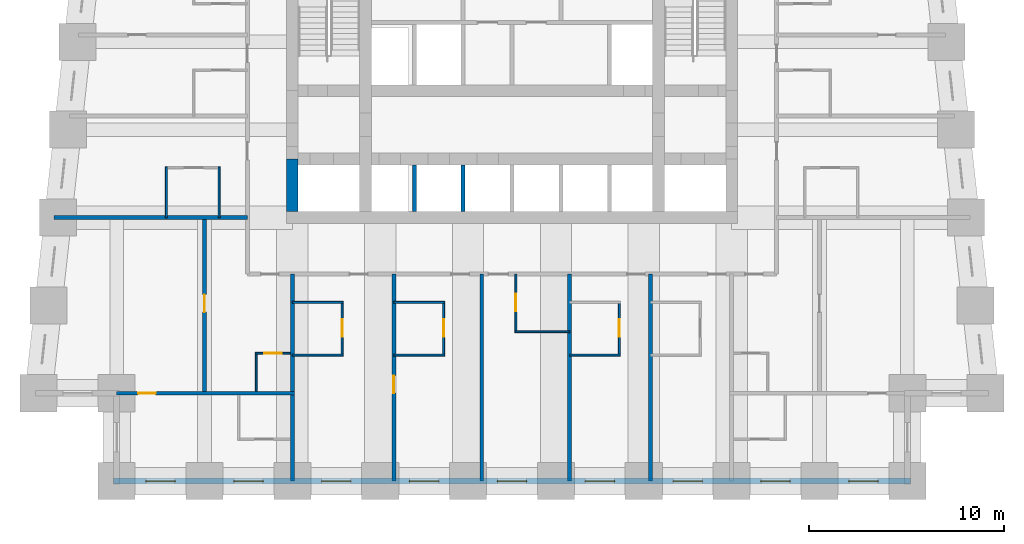
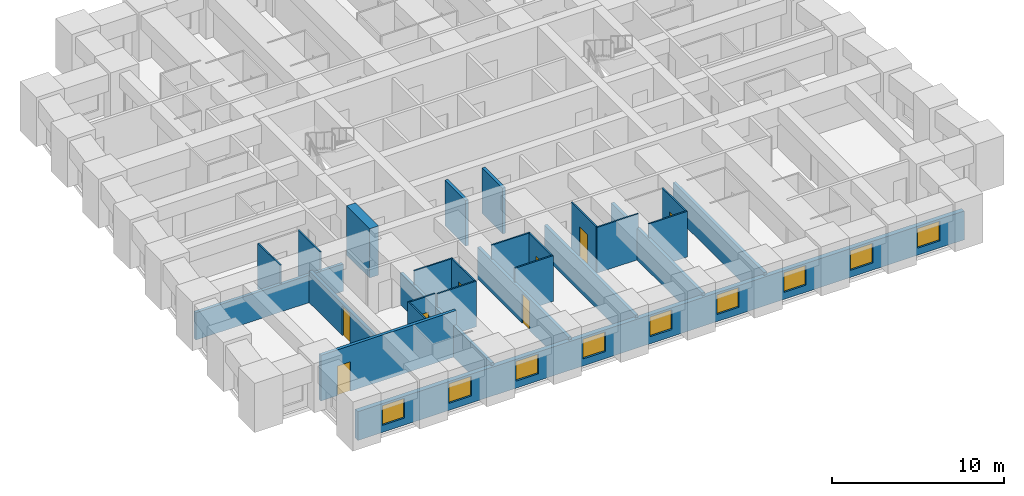
# One storey, part 2 of 8: 26 walls, 9 windows, 8 doors, 17 openings.
"""IFC4 building model written with IfcOpenShell, lengths in metres."""

from ifc_helpers import new_model, si_unit, direction, frame, frame_2d, origin, place, context, subcontext, project, spatial, rectangle, extrude, material, layer, layer_set, type_object, element, fill, save


model = new_model("IFC4")

# Units and contexts
model_context = context("Model", 3, precision=1e-05, world=origin(), true_north=direction((0.0, 1.0)))
body_context = subcontext(model_context, "Body", "Model", "MODEL_VIEW")
ifc_project = project(units=[si_unit("LENGTHUNIT", "METRE"), si_unit("AREAUNIT", "SQUARE_METRE"), si_unit("VOLUMEUNIT", "CUBIC_METRE"), si_unit("PLANEANGLEUNIT", "RADIAN"), si_unit("MASSUNIT", "GRAM", prefix="KILO")], contexts=[model_context])

# Site, building, storey
site_placement = place(None, origin())
site = spatial("IfcSite", under=ifc_project, at=site_placement, CompositionType="ELEMENT")
building_placement = place(site_placement, origin())
building = spatial("IfcBuilding", under=site, at=building_placement, Name="Kilele Tower Hotel", CompositionType="ELEMENT")
storey_placement = place(building_placement, frame((0.0, 0.0, 40.199951171875)))
storey = spatial("IfcBuildingStorey", under=building, at=storey_placement, Name="L08", CompositionType="ELEMENT", Elevation=40.199951171875)

# Walls
ifc_material_1 = material(Name="Moisture-resistant board")
ifc_layer_1 = layer(ifc_material_1, 0.10009765625)
ifc_layer_set_1 = layer_set([ifc_layer_1], Name="Moisture-resistant board")
wall_type_1 = type_object("IfcWallType", Name="Bathroom partition 100", PredefinedType="PLUMBINGWALL", material=ifc_layer_set_1)
for number, where, z_axis, x_axis, name in (
    (1, (13.5, 9.14990234375, 0.0), (0.0, 0.0, 1.0), (1.0, 0.0, 0.0), "Bathroom partition 100 L08"),
    (2, (13.5, 6.449951171875, 0.0), (0.0, 0.0, 1.0), (1.0, 0.0, 0.0), "Bathroom partition 100 L08"),
):
    element("IfcWall", number, at=place(storey_placement, frame(where, z_axis=z_axis, x_axis=x_axis)), inside=storey, type_object=wall_type_1, Name=name, PredefinedType="PLUMBINGWALL", context=body_context, shape_type="SweptSolid", body=[
        extrude(rectangle(XDim=2.60009765625, YDim=0.10009765625, at=frame_2d((1.300048828125, 0.0))), origin(), (0.0, 0.0, 1.0), 3.25),
    ])

# Wall, opening, door
wall_1_placement = place(storey_placement, frame((16.050048828125, 9.199951171875, 0.0), z_axis=(0.0, 0.0, 1.0), x_axis=(0.0, -1.0, 0.0)))
wall_1 = element("IfcWall", 3, at=wall_1_placement, inside=storey, type_object=wall_type_1, Name="Bathroom partition 100 L08", PredefinedType="PLUMBINGWALL", context=body_context, shape_type="SweptSolid", body=[
    extrude(rectangle(XDim=2.800048828125, YDim=0.10009765625, at=frame_2d((1.39990234375, 0.0))), origin(), (0.0, 0.0, 1.0), 3.25),
])
opening_1_placement = place(wall_1_placement, frame((0.89990234375, 0.0, 0.0)))
opening_1 = element("IfcOpeningElement", 4, at=opening_1_placement, cuts=wall_1, Name="Opening D2A", PredefinedType="OPENING", context=body_context, shape_type="SweptSolid", body=[
    extrude(rectangle(XDim=0.89990234375, YDim=2.10009765625, at=frame_2d((0.449951171875, 1.050048828125))), frame((0.0, 0.06005859375, 0.0), z_axis=(0.0, -1.0, 0.0), x_axis=(1.0, 0.0, 0.0)), (0.0, 0.0, 1.0), 0.1201171875),
])
ifc_material_2 = material(Name="Timber door leaf in hardwood frame", Category="wood")
door_type_1 = type_object("IfcDoorType", Name="Bathroom door 900", OperationType="SINGLE_SWING_LEFT", PredefinedType="DOOR", material=ifc_material_2)
door_1_placement = place(opening_1_placement, origin())
door_1 = element("IfcDoor", 5, at=door_1_placement, inside=storey, type_object=door_type_1, Name="Bathroom door 0801B", OperationType="SINGLE_SWING_LEFT", OverallHeight=2.10009765625, OverallWidth=0.89990234375, PredefinedType="DOOR", context=body_context, shape_type="SweptSolid", body=[
    extrude(rectangle(XDim=0.89990234375, YDim=2.10009765625, at=frame_2d((0.449951171875, 1.050048828125))), frame((0.0, 0.02490234375, 0.0), z_axis=(0.0, -1.0, 0.0), x_axis=(1.0, 0.0, 0.0)), (0.0, 0.0, 1.0), 0.050048828125),
])
fill(opening_1, door_1)

# Walls
for number, where, z_axis, x_axis, name in (
    (6, (18.699951171875, 9.14990234375, 0.0), (0.0, 0.0, 1.0), (1.0, 0.0, 0.0), "Bathroom partition 100 L08"),
    (7, (18.699951171875, 6.449951171875, 0.0), (0.0, 0.0, 1.0), (1.0, 0.0, 0.0), "Bathroom partition 100 L08"),
):
    element("IfcWall", number, at=place(storey_placement, frame(where, z_axis=z_axis, x_axis=x_axis)), inside=storey, type_object=wall_type_1, Name=name, PredefinedType="PLUMBINGWALL", context=body_context, shape_type="SweptSolid", body=[
        extrude(rectangle(XDim=2.60009765625, YDim=0.10009765625, at=frame_2d((1.300048828125, 0.0))), origin(), (0.0, 0.0, 1.0), 3.25),
    ])

# Wall, opening, door
wall_2_placement = place(storey_placement, frame((21.25, 9.199951171875, 0.0), z_axis=(0.0, 0.0, 1.0), x_axis=(0.0, -1.0, 0.0)))
wall_2 = element("IfcWall", 8, at=wall_2_placement, inside=storey, type_object=wall_type_1, Name="Bathroom partition 100 L08", PredefinedType="PLUMBINGWALL", context=body_context, shape_type="SweptSolid", body=[
    extrude(rectangle(XDim=2.800048828125, YDim=0.10009765625, at=frame_2d((1.39990234375, 0.0))), origin(), (0.0, 0.0, 1.0), 3.25),
])
opening_2_placement = place(wall_2_placement, frame((0.89990234375, 0.0, 0.0)))
opening_2 = element("IfcOpeningElement", 9, at=opening_2_placement, cuts=wall_2, Name="Opening D2A", PredefinedType="OPENING", context=body_context, shape_type="SweptSolid", body=[
    extrude(rectangle(XDim=0.89990234375, YDim=2.10009765625, at=frame_2d((0.449951171875, 1.050048828125))), frame((0.0, 0.06005859375, 0.0), z_axis=(0.0, -1.0, 0.0), x_axis=(1.0, 0.0, 0.0)), (0.0, 0.0, 1.0), 0.1201171875),
])
door_2_placement = place(opening_2_placement, origin())
door_2 = element("IfcDoor", 10, at=door_2_placement, inside=storey, type_object=door_type_1, Name="Bathroom door 0802B", OperationType="SINGLE_SWING_LEFT", OverallHeight=2.10009765625, OverallWidth=0.89990234375, PredefinedType="DOOR", context=body_context, shape_type="SweptSolid", body=[
    extrude(rectangle(XDim=0.89990234375, YDim=2.10009765625, at=frame_2d((0.449951171875, 1.050048828125))), frame((0.0, 0.02490234375, 0.0), z_axis=(0.0, -1.0, 0.0), x_axis=(1.0, 0.0, 0.0)), (0.0, 0.0, 1.0), 0.050048828125),
])
fill(opening_2, door_2)

# Wall
wall_3_placement = place(storey_placement, frame((24.89990234375, 7.64990234375, 0.0), z_axis=(0.0, 0.0, 1.0), x_axis=(1.0, 0.0, 0.0)))
element("IfcWall", 11, at=wall_3_placement, inside=storey, type_object=wall_type_1, Name="Bathroom partition 100 L08", PredefinedType="PLUMBINGWALL", context=body_context, shape_type="SweptSolid", body=[
    extrude(rectangle(XDim=2.800048828125, YDim=0.10009765625, at=frame_2d((1.39990234375, 0.0))), origin(), (0.0, 0.0, 1.0), 3.25),
])

# Wall, opening, door
wall_4_placement = place(storey_placement, frame((24.949951171875, 10.60009765625, 0.0), z_axis=(0.0, 0.0, 1.0), x_axis=(0.0, -1.0, 0.0)))
wall_4 = element("IfcWall", 12, at=wall_4_placement, inside=storey, type_object=wall_type_1, Name="Bathroom partition 100 L08", PredefinedType="PLUMBINGWALL", context=body_context, shape_type="SweptSolid", body=[
    extrude(rectangle(XDim=3.0, YDim=0.10009765625, at=frame_2d((1.5, 0.0))), origin(), (0.0, 0.0, 1.0), 3.25),
])
opening_3_placement = place(wall_4_placement, frame((1.89990234375, 0.0, 0.0), z_axis=(0.0, 0.0, 1.0), x_axis=(-1.0, 0.0, 0.0)))
opening_3 = element("IfcOpeningElement", 13, at=opening_3_placement, cuts=wall_4, Name="Opening D2A", PredefinedType="OPENING", context=body_context, shape_type="SweptSolid", body=[
    extrude(rectangle(XDim=0.89990234375, YDim=2.10009765625, at=frame_2d((0.449951171875, 1.050048828125))), frame((0.0, 0.06005859375, 0.0), z_axis=(0.0, -1.0, 0.0), x_axis=(1.0, 0.0, 0.0)), (0.0, 0.0, 1.0), 0.1201171875),
])
door_3_placement = place(opening_3_placement, origin())
door_3 = element("IfcDoor", 14, at=door_3_placement, inside=storey, type_object=door_type_1, Name="Bathroom door 0803B", OperationType="SINGLE_SWING_RIGHT", OverallHeight=2.10009765625, OverallWidth=0.89990234375, PredefinedType="DOOR", context=body_context, shape_type="SweptSolid", body=[
    extrude(rectangle(XDim=0.89990234375, YDim=2.10009765625, at=frame_2d((0.449951171875, 1.050048828125))), frame((0.0, 0.02490234375, 0.0), z_axis=(0.0, -1.0, 0.0), x_axis=(1.0, 0.0, 0.0)), (0.0, 0.0, 1.0), 0.050048828125),
])
fill(opening_3, door_3)

# Wall
wall_5_placement = place(storey_placement, frame((27.699951171875, 6.449951171875, 0.0), z_axis=(0.0, 0.0, 1.0), x_axis=(1.0, 0.0, 0.0)))
element("IfcWall", 15, at=wall_5_placement, inside=storey, type_object=wall_type_1, Name="Bathroom partition 100 L08", PredefinedType="PLUMBINGWALL", context=body_context, shape_type="SweptSolid", body=[
    extrude(rectangle(XDim=2.60009765625, YDim=0.10009765625, at=frame_2d((1.300048828125, 0.0))), origin(), (0.0, 0.0, 1.0), 3.25),
])

# Wall, opening, door
wall_6_placement = place(storey_placement, frame((30.25, 9.199951171875, 0.0), z_axis=(0.0, 0.0, 1.0), x_axis=(0.0, -1.0, 0.0)))
wall_6 = element("IfcWall", 16, at=wall_6_placement, inside=storey, type_object=wall_type_1, Name="Bathroom partition 100 L08", PredefinedType="PLUMBINGWALL", context=body_context, shape_type="SweptSolid", body=[
    extrude(rectangle(XDim=2.800048828125, YDim=0.10009765625, at=frame_2d((1.39990234375, 0.0))), origin(), (0.0, 0.0, 1.0), 3.25),
])
opening_4_placement = place(wall_6_placement, frame((0.89990234375, 0.0, 0.0)))
opening_4 = element("IfcOpeningElement", 17, at=opening_4_placement, cuts=wall_6, Name="Opening D2A", PredefinedType="OPENING", context=body_context, shape_type="SweptSolid", body=[
    extrude(rectangle(XDim=0.89990234375, YDim=2.10009765625, at=frame_2d((0.449951171875, 1.050048828125))), frame((0.0, 0.06005859375, 0.0), z_axis=(0.0, -1.0, 0.0), x_axis=(1.0, 0.0, 0.0)), (0.0, 0.0, 1.0), 0.1201171875),
])
door_4_placement = place(opening_4_placement, origin())
door_4 = element("IfcDoor", 18, at=door_4_placement, inside=storey, type_object=door_type_1, Name="Bathroom door 0804B", OperationType="SINGLE_SWING_LEFT", OverallHeight=2.10009765625, OverallWidth=0.89990234375, PredefinedType="DOOR", context=body_context, shape_type="SweptSolid", body=[
    extrude(rectangle(XDim=0.89990234375, YDim=2.10009765625, at=frame_2d((0.449951171875, 1.050048828125))), frame((0.0, 0.02490234375, 0.0), z_axis=(0.0, -1.0, 0.0), x_axis=(1.0, 0.0, 0.0)), (0.0, 0.0, 1.0), 0.050048828125),
])
fill(opening_4, door_4)

# Walls
for number, where, z_axis, x_axis, name in (
    (19, (9.75, 13.5, 0.0), (0.0, 0.0, 1.0), (0.0, 1.0, 0.0), "Bathroom partition 100 L08"),
    (20, (7.050048828125, 13.5, 0.0), (0.0, 0.0, 1.0), (0.0, 1.0, 0.0), "Bathroom partition 100 L08"),
):
    element("IfcWall", number, at=place(storey_placement, frame(where, z_axis=z_axis, x_axis=x_axis)), inside=storey, type_object=wall_type_1, Name=name, PredefinedType="PLUMBINGWALL", context=body_context, shape_type="SweptSolid", body=[
        extrude(rectangle(XDim=2.60009765625, YDim=0.10009765625, at=frame_2d((1.300048828125, 0.0))), origin(), (0.0, 0.0, 1.0), 3.25),
    ])
wall_7_placement = place(storey_placement, frame((11.64990234375, 4.60009765625, 0.0), z_axis=(0.0, 0.0, 1.0), x_axis=(0.0, 1.0, 0.0)))
element("IfcWall", 21, at=wall_7_placement, inside=storey, type_object=wall_type_1, Name="Bathroom partition 100 L08", PredefinedType="PLUMBINGWALL", context=body_context, shape_type="SweptSolid", body=[
    extrude(rectangle(XDim=2.0, YDim=0.10009765625, at=frame_2d((1.0, 0.0))), origin(), (0.0, 0.0, 1.0), 3.25),
])

# Wall, opening, door
wall_8_placement = place(storey_placement, frame((13.39990234375, 6.550048828125, 0.0), z_axis=(0.0, 0.0, 1.0), x_axis=(-1.0, 0.0, 0.0)))
wall_8 = element("IfcWall", 22, at=wall_8_placement, inside=storey, type_object=wall_type_1, Name="Bathroom partition 100 L08", PredefinedType="PLUMBINGWALL", context=body_context, shape_type="SweptSolid", body=[
    extrude(rectangle(XDim=1.7998046875, YDim=0.10009765625, at=frame_2d((0.89990234375, 0.0))), origin(), (0.0, 0.0, 1.0), 3.25),
])
opening_5_placement = place(wall_8_placement, frame((1.349853515625, 0.0, 0.0), z_axis=(0.0, 0.0, 1.0), x_axis=(-1.0, 0.0, 0.0)))
opening_5 = element("IfcOpeningElement", 23, at=opening_5_placement, cuts=wall_8, Name="Opening D2A", PredefinedType="OPENING", context=body_context, shape_type="SweptSolid", body=[
    extrude(rectangle(XDim=0.89990234375, YDim=2.10009765625, at=frame_2d((0.449951171875, 1.050048828125))), frame((0.0, 0.06005859375, 0.0), z_axis=(0.0, -1.0, 0.0), x_axis=(1.0, 0.0, 0.0)), (0.0, 0.0, 1.0), 0.1201171875),
])
door_5_placement = place(opening_5_placement, origin())
door_5 = element("IfcDoor", 24, at=door_5_placement, inside=storey, type_object=door_type_1, Name="Bathroom door 0817P", OperationType="SINGLE_SWING_RIGHT", OverallHeight=2.10009765625, OverallWidth=0.89990234375, PredefinedType="DOOR", context=body_context, shape_type="SweptSolid", body=[
    extrude(rectangle(XDim=0.89990234375, YDim=2.10009765625, at=frame_2d((0.449951171875, 1.050048828125))), frame((0.0, 0.02490234375, 0.0), z_axis=(0.0, -1.0, 0.0), x_axis=(1.0, 0.0, 0.0)), (0.0, 0.0, 1.0), 0.050048828125),
])
fill(opening_5, door_5)

# Wall
ifc_material_3 = material(Name="Concrete C60/75", Category="concrete")
ifc_layer_2 = layer(ifc_material_3, 0.60009765625)
ifc_layer_set_2 = layer_set([ifc_layer_2], Name="Concrete C60/75")
wall_type_2 = type_object("IfcWallType", Name="Core wall 600 C60/75", PredefinedType="SHEAR", material=ifc_layer_set_2)
wall_9_placement = place(storey_placement, frame((13.5, 16.5, 0.0), z_axis=(0.0, 0.0, 1.0), x_axis=(0.0, -1.0, 0.0)))
element("IfcWall", 25, at=wall_9_placement, inside=storey, type_object=wall_type_2, Name="Core wall W3 L08", PredefinedType="SHEAR", context=body_context, shape_type="SweptSolid", body=[
    extrude(rectangle(XDim=2.699951171875, YDim=0.60009765625, at=frame_2d((1.35009765625, 0.0))), origin(), (0.0, 0.0, 1.0), 3.5),
])

# Wall, opening, door
ifc_material_4 = material(Name="Blockwork, plastered both sides", Category="masonry")
ifc_layer_3 = layer(ifc_material_4, 0.199951171875)
ifc_layer_set_3 = layer_set([ifc_layer_3], Name="Blockwork, plastered both sides")
wall_type_3 = type_object("IfcWallType", Name="Partition wall 200", PredefinedType="PARTITIONING", material=ifc_layer_set_3)
wall_10_placement = place(storey_placement, frame((9.0, 4.60009765625, 0.0), z_axis=(0.0, 0.0, 1.0), x_axis=(0.0, 1.0, 0.0)))
wall_10 = element("IfcWall", 26, at=wall_10_placement, inside=storey, type_object=wall_type_3, Name="Partition wall 200 L08", PredefinedType="PARTITIONING", context=body_context, shape_type="SweptSolid", body=[
    extrude(rectangle(XDim=8.7998046875, YDim=0.199951171875, at=frame_2d((4.39990234375, 0.0))), origin(), (0.0, 0.0, 1.0), 2.25),
])
opening_6_placement = place(wall_10_placement, frame((4.050048828125, 0.0, 0.0)))
opening_6 = element("IfcOpeningElement", 27, at=opening_6_placement, cuts=wall_10, Name="Opening D3", PredefinedType="OPENING", context=body_context, shape_type="SweptSolid", body=[
    extrude(rectangle(XDim=0.89990234375, YDim=2.10009765625, at=frame_2d((0.449951171875, 1.050048828125))), frame((0.0, 0.10986328125, 0.0), z_axis=(0.0, -1.0, 0.0), x_axis=(1.0, 0.0, 0.0)), (0.0, 0.0, 1.0), 0.219970703125),
])
ifc_material_5 = material(Name="Timber door leaf in hardwood frame", Category="wood")
door_type_2 = type_object("IfcDoorType", Name="Suite internal door 900", OperationType="SINGLE_SWING_LEFT", PredefinedType="DOOR", material=ifc_material_5)
door_6_placement = place(opening_6_placement, origin())
door_6 = element("IfcDoor", 28, at=door_6_placement, inside=storey, type_object=door_type_2, Name="Suite door 0818", OperationType="SINGLE_SWING_RIGHT", OverallHeight=2.10009765625, OverallWidth=0.89990234375, PredefinedType="DOOR", context=body_context, shape_type="SweptSolid", body=[
    extrude(rectangle(XDim=0.89990234375, YDim=2.10009765625, at=frame_2d((0.449951171875, 1.050048828125))), frame((0.0, 0.02490234375, 0.0), z_axis=(0.0, -1.0, 0.0), x_axis=(1.0, 0.0, 0.0)), (0.0, 0.0, 1.0), 0.050048828125),
])
fill(opening_6, door_6)

ifc_material_6 = material(Name="Blockwork, plastered both sides", Category="masonry")
ifc_layer_4 = layer(ifc_material_6, 0.199951171875)
ifc_layer_set_4 = layer_set([ifc_layer_4], Name="Blockwork, plastered both sides")
wall_type_4 = type_object("IfcWallType", Name="Party wall 200", PredefinedType="PARTITIONING", material=ifc_layer_set_4)
wall_11_placement = place(storey_placement, frame((18.699951171875, 10.60009765625, 0.0), z_axis=(0.0, 0.0, 1.0), x_axis=(0.0, -1.0, 0.0)))
wall_11 = element("IfcWall", 29, at=wall_11_placement, inside=storey, type_object=wall_type_4, Name="Party wall 200 L08", PredefinedType="PARTITIONING", context=body_context, shape_type="SweptSolid", body=[
    extrude(rectangle(XDim=10.60009765625, YDim=0.199951171875, at=frame_2d((5.300048828125, 0.0))), origin(), (0.0, 0.0, 1.0), 2.25),
])
opening_7_placement = place(wall_11_placement, frame((5.199951171875, 0.0, 0.0)))
opening_7 = element("IfcOpeningElement", 30, at=opening_7_placement, cuts=wall_11, Name="Opening D3C", PredefinedType="OPENING", context=body_context, shape_type="SweptSolid", body=[
    extrude(rectangle(XDim=0.89990234375, YDim=2.10009765625, at=frame_2d((0.449951171875, 1.050048828125))), frame((0.0, 0.10986328125, 0.0), z_axis=(0.0, -1.0, 0.0), x_axis=(1.0, 0.0, 0.0)), (0.0, 0.0, 1.0), 0.219970703125),
])
ifc_material_7 = material(Name="Timber door leaf in hardwood frame", Category="wood")
door_type_3 = type_object("IfcDoorType", Name="Connecting door 900", OperationType="SINGLE_SWING_LEFT", PredefinedType="DOOR", material=ifc_material_7)
door_7_placement = place(opening_7_placement, origin())
door_7 = element("IfcDoor", 31, at=door_7_placement, inside=storey, type_object=door_type_3, Name="Connecting door 0802", OperationType="SINGLE_SWING_LEFT", OverallHeight=2.10009765625, OverallWidth=0.89990234375, PredefinedType="DOOR", context=body_context, shape_type="SweptSolid", body=[
    extrude(rectangle(XDim=0.89990234375, YDim=2.10009765625, at=frame_2d((0.449951171875, 1.050048828125))), frame((0.0, 0.02490234375, 0.0), z_axis=(0.0, -1.0, 0.0), x_axis=(1.0, 0.0, 0.0)), (0.0, 0.0, 1.0), 0.050048828125),
])
fill(opening_7, door_7)

# Walls
for number, where, z_axis, x_axis, name in (
    (32, (23.199951171875, 10.60009765625, 0.0), (0.0, 0.0, 1.0), (0.0, -1.0, 0.0), "Party wall 200 L08"),
    (33, (27.699951171875, 10.60009765625, 0.0), (0.0, 0.0, 1.0), (0.0, -1.0, 0.0), "Party wall 200 L08"),
    (34, (31.85009765625, 10.60009765625, 0.0), (0.0, 0.0, 1.0), (0.0, -1.0, 0.0), "Party wall 200 L08"),
):
    element("IfcWall", number, at=place(storey_placement, frame(where, z_axis=z_axis, x_axis=x_axis)), inside=storey, type_object=wall_type_4, Name=name, PredefinedType="PARTITIONING", context=body_context, shape_type="SweptSolid", body=[
        extrude(rectangle(XDim=10.60009765625, YDim=0.199951171875, at=frame_2d((5.300048828125, 0.0))), origin(), (0.0, 0.0, 1.0), 2.25),
    ])
wall_12_placement = place(storey_placement, frame((11.199951171875, 13.5, 0.0), z_axis=(0.0, 0.0, 1.0), x_axis=(-1.0, 0.0, 0.0)))
element("IfcWall", 35, at=wall_12_placement, inside=storey, type_object=wall_type_4, Name="Party wall 200 L08", PredefinedType="PARTITIONING", context=body_context, shape_type="SweptSolid", body=[
    extrude(rectangle(XDim=9.921142578125, YDim=0.199951171875, at=frame_2d((4.96044921875, 0.0))), origin(), (0.0, 0.0, 1.0), 1.949951171875),
])
wall_13_placement = place(storey_placement, frame((13.5, 10.60009765625, 0.0), z_axis=(0.0, 0.0, 1.0), x_axis=(0.0, -1.0, 0.0)))
element("IfcWall", 36, at=wall_13_placement, inside=storey, type_object=wall_type_4, Name="Party wall 200 L08", PredefinedType="PARTITIONING", context=body_context, shape_type="SweptSolid", body=[
    extrude(rectangle(XDim=10.60009765625, YDim=0.199951171875, at=frame_2d((5.300048828125, 0.0))), origin(), (0.0, 0.0, 1.0), 2.25),
])

# Wall, opening, door
wall_14_placement = place(storey_placement, frame((13.60009765625, 4.5, 0.0), z_axis=(0.0, 0.0, 1.0), x_axis=(-1.0, 0.0, 0.0)))
wall_14 = element("IfcWall", 37, at=wall_14_placement, inside=storey, type_object=wall_type_4, Name="Party wall 200 L08", PredefinedType="PARTITIONING", context=body_context, shape_type="SweptSolid", body=[
    extrude(rectangle(XDim=9.10009765625, YDim=0.199951171875, at=frame_2d((4.550048828125, 0.0))), origin(), (0.0, 0.0, 1.0), 3.25),
])
opening_8_placement = place(wall_14_placement, frame((7.10009765625, 0.0, 0.0)))
opening_8 = element("IfcOpeningElement", 38, at=opening_8_placement, cuts=wall_14, Name="Opening D3", PredefinedType="OPENING", context=body_context, shape_type="SweptSolid", body=[
    extrude(rectangle(XDim=0.89990234375, YDim=2.10009765625, at=frame_2d((0.449951171875, 1.050048828125))), frame((0.0, 0.10986328125, 0.0), z_axis=(0.0, -1.0, 0.0), x_axis=(1.0, 0.0, 0.0)), (0.0, 0.0, 1.0), 0.219970703125),
])
door_8_placement = place(opening_8_placement, origin())
door_8 = element("IfcDoor", 39, at=door_8_placement, inside=storey, type_object=door_type_2, Name="Suite door 0819", OperationType="SINGLE_SWING_RIGHT", OverallHeight=2.10009765625, OverallWidth=0.89990234375, PredefinedType="DOOR", context=body_context, shape_type="SweptSolid", body=[
    extrude(rectangle(XDim=0.89990234375, YDim=2.10009765625, at=frame_2d((0.449951171875, 1.050048828125))), frame((0.0, 0.02490234375, 0.0), z_axis=(0.0, -1.0, 0.0), x_axis=(1.0, 0.0, 0.0)), (0.0, 0.0, 1.0), 0.050048828125),
])
fill(opening_8, door_8)

# Wall, openings, windows
ifc_material_8 = material(Name="Concrete C40/50 precast", Category="concrete")
ifc_layer_5 = layer(ifc_material_8, 0.260009765625, Name="Precast backing", Category="LoadBearing")
ifc_material_9 = material(Name="Reconstituted stone finish", Category="masonry")
ifc_layer_6 = layer(ifc_material_9, 0.0400390625, Name="Face mix", Category="Finish")
ifc_layer_set_5 = layer_set([ifc_layer_5, ifc_layer_6], Name="Precast concrete C40/50, reconstituted stone finish")
wall_type_5 = type_object("IfcWallType", Name="Precast stone facade wall 300", PredefinedType="STANDARD", material=ifc_layer_set_5)
wall_15_placement = place(storey_placement, frame((4.35009765625, 0.0, 0.0), z_axis=(0.0, 0.0, 1.0), x_axis=(1.0, 0.0, 0.0)))
wall_15 = element("IfcWall", 40, at=wall_15_placement, inside=storey, type_object=wall_type_5, Name="Facade wall L08 edge 3", PredefinedType="STANDARD", context=body_context, shape_type="SweptSolid", body=[
    extrude(rectangle(XDim=40.7998046875, YDim=0.300048828125, at=frame_2d((20.39990234375, 0.0))), origin(), (0.0, 0.0, 1.0), 2.050048828125),
])
opening_9_placement = place(wall_15_placement, frame((1.64990234375, 0.0, 0.5)))
opening_9 = element("IfcOpeningElement", 41, at=opening_9_placement, cuts=wall_15, Name="Opening W1", PredefinedType="OPENING", context=body_context, shape_type="SweptSolid", body=[
    extrude(rectangle(XDim=1.5, YDim=1.39990234375, at=frame_2d((0.75, 0.699951171875))), frame((0.0, 0.159912109375, 0.0), z_axis=(0.0, -1.0, 0.0), x_axis=(1.0, 0.0, 0.0)), (0.0, 0.0, 1.0), 0.320068359375),
])
opening_10_placement = place(wall_15_placement, frame((6.14990234375, 0.0, 0.5)))
opening_10 = element("IfcOpeningElement", 42, at=opening_10_placement, cuts=wall_15, Name="Opening W1", PredefinedType="OPENING", context=body_context, shape_type="SweptSolid", body=[
    extrude(rectangle(XDim=1.5, YDim=1.39990234375, at=frame_2d((0.75, 0.699951171875))), frame((0.0, 0.159912109375, 0.0), z_axis=(0.0, -1.0, 0.0), x_axis=(1.0, 0.0, 0.0)), (0.0, 0.0, 1.0), 0.320068359375),
])
opening_11_placement = place(wall_15_placement, frame((10.64990234375, 0.0, 0.5)))
opening_11 = element("IfcOpeningElement", 43, at=opening_11_placement, cuts=wall_15, Name="Opening W1", PredefinedType="OPENING", context=body_context, shape_type="SweptSolid", body=[
    extrude(rectangle(XDim=1.5, YDim=1.39990234375, at=frame_2d((0.75, 0.699951171875))), frame((0.0, 0.159912109375, 0.0), z_axis=(0.0, -1.0, 0.0), x_axis=(1.0, 0.0, 0.0)), (0.0, 0.0, 1.0), 0.320068359375),
])
opening_12_placement = place(wall_15_placement, frame((15.14990234375, 0.0, 0.5)))
opening_12 = element("IfcOpeningElement", 44, at=opening_12_placement, cuts=wall_15, Name="Opening W1", PredefinedType="OPENING", context=body_context, shape_type="SweptSolid", body=[
    extrude(rectangle(XDim=1.5, YDim=1.39990234375, at=frame_2d((0.75, 0.699951171875))), frame((0.0, 0.159912109375, 0.0), z_axis=(0.0, -1.0, 0.0), x_axis=(1.0, 0.0, 0.0)), (0.0, 0.0, 1.0), 0.320068359375),
])
opening_13_placement = place(wall_15_placement, frame((19.64990234375, 0.0, 0.5)))
opening_13 = element("IfcOpeningElement", 45, at=opening_13_placement, cuts=wall_15, Name="Opening W1", PredefinedType="OPENING", context=body_context, shape_type="SweptSolid", body=[
    extrude(rectangle(XDim=1.5, YDim=1.39990234375, at=frame_2d((0.75, 0.699951171875))), frame((0.0, 0.159912109375, 0.0), z_axis=(0.0, -1.0, 0.0), x_axis=(1.0, 0.0, 0.0)), (0.0, 0.0, 1.0), 0.320068359375),
])
opening_14_placement = place(wall_15_placement, frame((24.14990234375, 0.0, 0.5)))
opening_14 = element("IfcOpeningElement", 46, at=opening_14_placement, cuts=wall_15, Name="Opening W1", PredefinedType="OPENING", context=body_context, shape_type="SweptSolid", body=[
    extrude(rectangle(XDim=1.5, YDim=1.39990234375, at=frame_2d((0.75, 0.699951171875))), frame((0.0, 0.159912109375, 0.0), z_axis=(0.0, -1.0, 0.0), x_axis=(1.0, 0.0, 0.0)), (0.0, 0.0, 1.0), 0.320068359375),
])
opening_15_placement = place(wall_15_placement, frame((28.64990234375, 0.0, 0.5)))
opening_15 = element("IfcOpeningElement", 47, at=opening_15_placement, cuts=wall_15, Name="Opening W1", PredefinedType="OPENING", context=body_context, shape_type="SweptSolid", body=[
    extrude(rectangle(XDim=1.5, YDim=1.39990234375, at=frame_2d((0.75, 0.699951171875))), frame((0.0, 0.159912109375, 0.0), z_axis=(0.0, -1.0, 0.0), x_axis=(1.0, 0.0, 0.0)), (0.0, 0.0, 1.0), 0.320068359375),
])
opening_16_placement = place(wall_15_placement, frame((33.14990234375, 0.0, 0.5)))
opening_16 = element("IfcOpeningElement", 48, at=opening_16_placement, cuts=wall_15, Name="Opening W1", PredefinedType="OPENING", context=body_context, shape_type="SweptSolid", body=[
    extrude(rectangle(XDim=1.5, YDim=1.39990234375, at=frame_2d((0.75, 0.699951171875))), frame((0.0, 0.159912109375, 0.0), z_axis=(0.0, -1.0, 0.0), x_axis=(1.0, 0.0, 0.0)), (0.0, 0.0, 1.0), 0.320068359375),
])
opening_17_placement = place(wall_15_placement, frame((37.64990234375, 0.0, 0.5)))
opening_17 = element("IfcOpeningElement", 49, at=opening_17_placement, cuts=wall_15, Name="Opening W1", PredefinedType="OPENING", context=body_context, shape_type="SweptSolid", body=[
    extrude(rectangle(XDim=1.5, YDim=1.39990234375, at=frame_2d((0.75, 0.699951171875))), frame((0.0, 0.159912109375, 0.0), z_axis=(0.0, -1.0, 0.0), x_axis=(1.0, 0.0, 0.0)), (0.0, 0.0, 1.0), 0.320068359375),
])
ifc_material_10 = material(Name="Aluminium frame, clear double glazing", Category="aluminium")
window_type = type_object("IfcWindowType", Name="Window W1 1500 x 1400", PartitioningType="SINGLE_PANEL", PredefinedType="WINDOW", material=ifc_material_10)
window_1_placement = place(opening_9_placement, origin())
window_1 = element("IfcWindow", 50, at=window_1_placement, inside=storey, type_object=window_type, Name="Window L08", OverallHeight=1.39990234375, OverallWidth=1.5, PartitioningType="SINGLE_PANEL", PredefinedType="WINDOW", context=body_context, shape_type="SweptSolid", body=[
    extrude(rectangle(XDim=1.5, YDim=1.39990234375, at=frame_2d((0.75, 0.699951171875))), frame((0.0, 0.030029296875, 0.0), z_axis=(0.0, -1.0, 0.0), x_axis=(1.0, 0.0, 0.0)), (0.0, 0.0, 1.0), 0.06005859375),
])
fill(opening_9, window_1)
window_2_placement = place(opening_10_placement, origin())
window_2 = element("IfcWindow", 51, at=window_2_placement, inside=storey, type_object=window_type, Name="Window L08", OverallHeight=1.39990234375, OverallWidth=1.5, PartitioningType="SINGLE_PANEL", PredefinedType="WINDOW", context=body_context, shape_type="SweptSolid", body=[
    extrude(rectangle(XDim=1.5, YDim=1.39990234375, at=frame_2d((0.75, 0.699951171875))), frame((0.0, 0.030029296875, 0.0), z_axis=(0.0, -1.0, 0.0), x_axis=(1.0, 0.0, 0.0)), (0.0, 0.0, 1.0), 0.06005859375),
])
fill(opening_10, window_2)
window_3_placement = place(opening_11_placement, origin())
window_3 = element("IfcWindow", 52, at=window_3_placement, inside=storey, type_object=window_type, Name="Window L08", OverallHeight=1.39990234375, OverallWidth=1.5, PartitioningType="SINGLE_PANEL", PredefinedType="WINDOW", context=body_context, shape_type="SweptSolid", body=[
    extrude(rectangle(XDim=1.5, YDim=1.39990234375, at=frame_2d((0.75, 0.699951171875))), frame((0.0, 0.030029296875, 0.0), z_axis=(0.0, -1.0, 0.0), x_axis=(1.0, 0.0, 0.0)), (0.0, 0.0, 1.0), 0.06005859375),
])
fill(opening_11, window_3)
window_4_placement = place(opening_12_placement, origin())
window_4 = element("IfcWindow", 53, at=window_4_placement, inside=storey, type_object=window_type, Name="Window L08", OverallHeight=1.39990234375, OverallWidth=1.5, PartitioningType="SINGLE_PANEL", PredefinedType="WINDOW", context=body_context, shape_type="SweptSolid", body=[
    extrude(rectangle(XDim=1.5, YDim=1.39990234375, at=frame_2d((0.75, 0.699951171875))), frame((0.0, 0.030029296875, 0.0), z_axis=(0.0, -1.0, 0.0), x_axis=(1.0, 0.0, 0.0)), (0.0, 0.0, 1.0), 0.06005859375),
])
fill(opening_12, window_4)
window_5_placement = place(opening_13_placement, origin())
window_5 = element("IfcWindow", 54, at=window_5_placement, inside=storey, type_object=window_type, Name="Window L08", OverallHeight=1.39990234375, OverallWidth=1.5, PartitioningType="SINGLE_PANEL", PredefinedType="WINDOW", context=body_context, shape_type="SweptSolid", body=[
    extrude(rectangle(XDim=1.5, YDim=1.39990234375, at=frame_2d((0.75, 0.699951171875))), frame((0.0, 0.030029296875, 0.0), z_axis=(0.0, -1.0, 0.0), x_axis=(1.0, 0.0, 0.0)), (0.0, 0.0, 1.0), 0.06005859375),
])
fill(opening_13, window_5)
window_6_placement = place(opening_14_placement, origin())
window_6 = element("IfcWindow", 55, at=window_6_placement, inside=storey, type_object=window_type, Name="Window L08", OverallHeight=1.39990234375, OverallWidth=1.5, PartitioningType="SINGLE_PANEL", PredefinedType="WINDOW", context=body_context, shape_type="SweptSolid", body=[
    extrude(rectangle(XDim=1.5, YDim=1.39990234375, at=frame_2d((0.75, 0.699951171875))), frame((0.0, 0.030029296875, 0.0), z_axis=(0.0, -1.0, 0.0), x_axis=(1.0, 0.0, 0.0)), (0.0, 0.0, 1.0), 0.06005859375),
])
fill(opening_14, window_6)
window_7_placement = place(opening_15_placement, origin())
window_7 = element("IfcWindow", 56, at=window_7_placement, inside=storey, type_object=window_type, Name="Window L08", OverallHeight=1.39990234375, OverallWidth=1.5, PartitioningType="SINGLE_PANEL", PredefinedType="WINDOW", context=body_context, shape_type="SweptSolid", body=[
    extrude(rectangle(XDim=1.5, YDim=1.39990234375, at=frame_2d((0.75, 0.699951171875))), frame((0.0, 0.030029296875, 0.0), z_axis=(0.0, -1.0, 0.0), x_axis=(1.0, 0.0, 0.0)), (0.0, 0.0, 1.0), 0.06005859375),
])
fill(opening_15, window_7)
window_8_placement = place(opening_16_placement, origin())
window_8 = element("IfcWindow", 57, at=window_8_placement, inside=storey, type_object=window_type, Name="Window L08", OverallHeight=1.39990234375, OverallWidth=1.5, PartitioningType="SINGLE_PANEL", PredefinedType="WINDOW", context=body_context, shape_type="SweptSolid", body=[
    extrude(rectangle(XDim=1.5, YDim=1.39990234375, at=frame_2d((0.75, 0.699951171875))), frame((0.0, 0.030029296875, 0.0), z_axis=(0.0, -1.0, 0.0), x_axis=(1.0, 0.0, 0.0)), (0.0, 0.0, 1.0), 0.06005859375),
])
fill(opening_16, window_8)
window_9_placement = place(opening_17_placement, origin())
window_9 = element("IfcWindow", 58, at=window_9_placement, inside=storey, type_object=window_type, Name="Window L08", OverallHeight=1.39990234375, OverallWidth=1.5, PartitioningType="SINGLE_PANEL", PredefinedType="WINDOW", context=body_context, shape_type="SweptSolid", body=[
    extrude(rectangle(XDim=1.5, YDim=1.39990234375, at=frame_2d((0.75, 0.699951171875))), frame((0.0, 0.030029296875, 0.0), z_axis=(0.0, -1.0, 0.0), x_axis=(1.0, 0.0, 0.0)), (0.0, 0.0, 1.0), 0.06005859375),
])
fill(opening_17, window_9)

# Walls
ifc_material_11 = material(Name="Blockwork, fire-rated", Category="masonry")
ifc_layer_7 = layer(ifc_material_11, 0.199951171875)
ifc_layer_set_6 = layer_set([ifc_layer_7], Name="Blockwork, fire-rated")
wall_type_6 = type_object("IfcWallType", Name="Shaft wall 200", PredefinedType="PARTITIONING", material=ifc_layer_set_6)
for number, where, z_axis, x_axis, name in (
    (59, (19.75, 13.800048828125, 0.0), (0.0, 0.0, 1.0), (0.0, 1.0, 0.0), "Shaft wall 200 L08"),
    (60, (22.25, 13.800048828125, 0.0), (0.0, 0.0, 1.0), (0.0, 1.0, 0.0), "Shaft wall 200 L08"),
):
    element("IfcWall", number, at=place(storey_placement, frame(where, z_axis=z_axis, x_axis=x_axis)), inside=storey, type_object=wall_type_6, Name=name, PredefinedType="PARTITIONING", context=body_context, shape_type="SweptSolid", body=[
        extrude(rectangle(XDim=2.39990234375, YDim=0.199951171875, at=frame_2d((1.199951171875, 0.0))), origin(), (0.0, 0.0, 1.0), 3.25),
    ])

save(model, "model.ifc")
